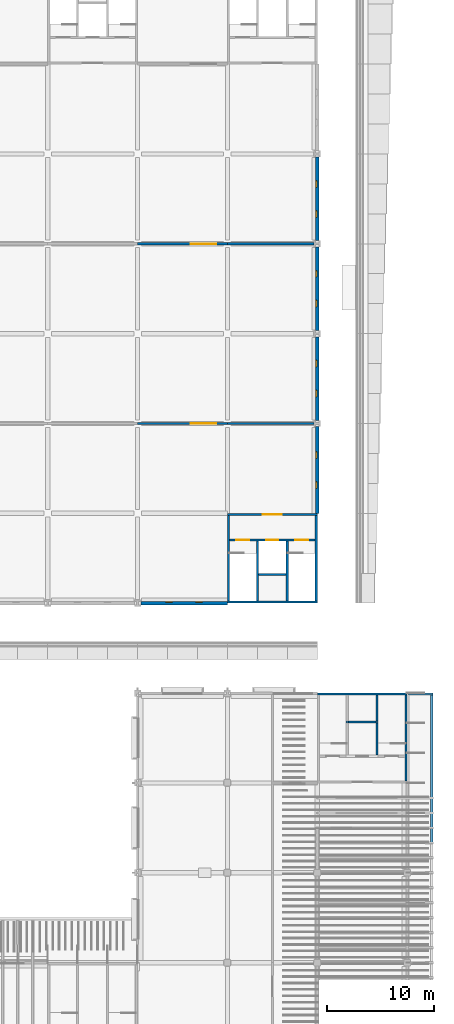
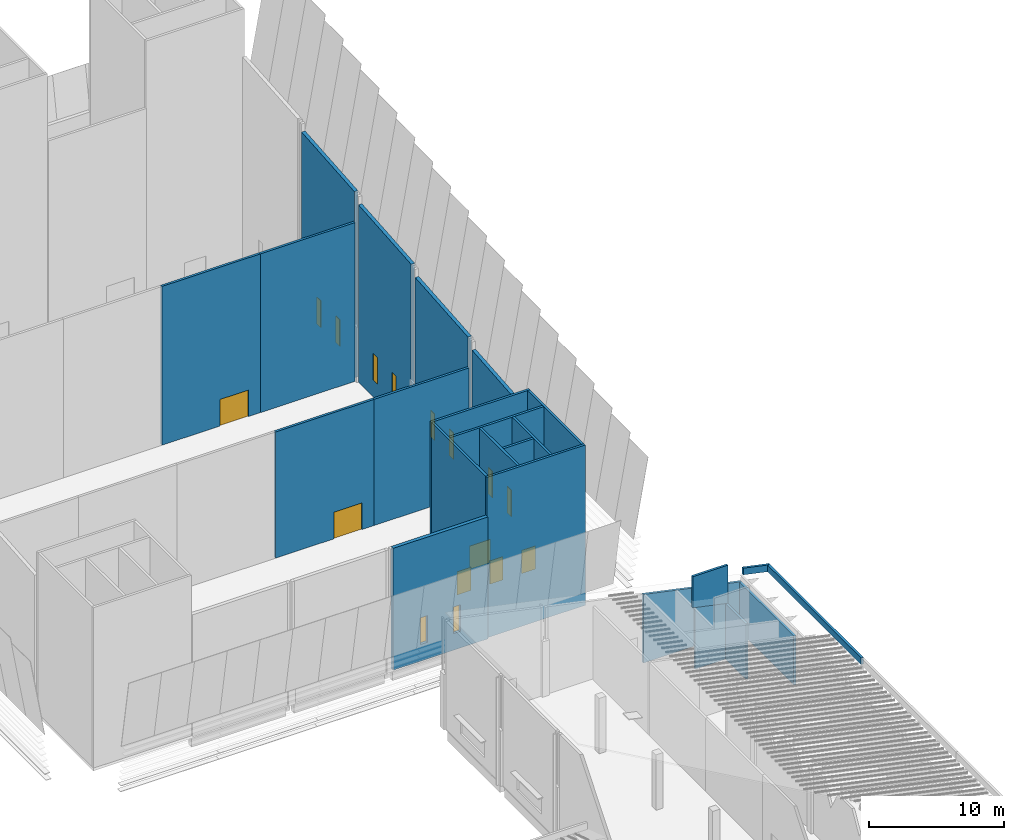
# One storey, part 26 of 59: 24 walls, 10 windows, 6 doors, 16 openings.
"""IFC4 building model written with IfcOpenShell, lengths in metres."""

from ifc_helpers import new_model, si_unit, direction, frame, frame_2d, origin, place, context, subcontext, project, spatial, polyline, rectangle, outline, extrude, material, layer, layer_set, type_object, element, fill, save


model = new_model("IFC4")

# Units and contexts
model_context = context("Model", 3, precision=1e-05, world=origin(), true_north=direction((0.0, 1.0)))
body_context = subcontext(model_context, "Body", "Model", "MODEL_VIEW")
ifc_project = project(units=[si_unit("LENGTHUNIT", "METRE"), si_unit("AREAUNIT", "SQUARE_METRE"), si_unit("VOLUMEUNIT", "CUBIC_METRE"), si_unit("PLANEANGLEUNIT", "RADIAN"), si_unit("MASSUNIT", "GRAM", prefix="KILO")], contexts=[model_context])

# Site, building, storey
site_placement = place(None, origin())
site = spatial("IfcSite", under=ifc_project, at=site_placement, CompositionType="ELEMENT")
building_placement = place(site_placement, origin())
building = spatial("IfcBuilding", under=site, at=building_placement, Name="Almond Square Museum", CompositionType="ELEMENT")
storey_placement = place(building_placement, frame((0.0, 0.0, 25.0)))
storey = spatial("IfcBuildingStorey", under=building, at=storey_placement, Name="L04", CompositionType="ELEMENT", Elevation=25.0)

# Wall, openings, windows
ifc_material_1 = material(Name="Concrete C30/37", Category="concrete")
ifc_layer_1 = layer(ifc_material_1, 0.300048828125)
ifc_layer_set_1 = layer_set([ifc_layer_1], Name="Concrete C30/37")
wall_type_1 = type_object("IfcWallType", Name="Cast concrete wall 300 C30/37 behind louvre skin", PredefinedType="SOLIDWALL", material=ifc_layer_set_1)
wall_1_placement = place(storey_placement, frame((132.300048828125, 50.39990234375, 0.0), z_axis=(0.0, 0.0, 1.0), x_axis=(1.0, 0.0, 0.0)))
wall_1 = element("IfcWall", 1, at=wall_1_placement, inside=storey, type_object=wall_type_1, Name="External wall W1 V1 L04 S03", PredefinedType="SOLIDWALL", context=body_context, shape_type="SweptSolid", body=[
    extrude(rectangle(XDim=8.099853515625, YDim=0.300048828125, at=frame_2d((4.0498046875, 0.0))), origin(), (0.0, 0.0, 1.0), 10.995849609375),
])
opening_1_placement = place(wall_1_placement, frame((2.35009765625, 0.0, 1.5)))
opening_1 = element("IfcOpeningElement", 2, at=opening_1_placement, cuts=wall_1, Name="Opening W4025", PredefinedType="OPENING", context=body_context, shape_type="SweptSolid", body=[
    extrude(rectangle(XDim=0.60009765625, YDim=2.39990234375, at=frame_2d((0.300048828125, 1.199951171875))), frame((0.0, 0.159912109375, 0.0), z_axis=(0.0, -1.0, 0.0), x_axis=(1.0, 0.0, 0.0)), (0.0, 0.0, 1.0), 0.320068359375),
])
opening_2_placement = place(wall_1_placement, frame((5.14990234375, 0.0, 1.5)))
opening_2 = element("IfcOpeningElement", 3, at=opening_2_placement, cuts=wall_1, Name="Opening W4026", PredefinedType="OPENING", context=body_context, shape_type="SweptSolid", body=[
    extrude(rectangle(XDim=0.60009765625, YDim=2.39990234375, at=frame_2d((0.300048828125, 1.199951171875))), frame((0.0, 0.159912109375, 0.0), z_axis=(0.0, -1.0, 0.0), x_axis=(1.0, 0.0, 0.0)), (0.0, 0.0, 1.0), 0.320068359375),
])
ifc_material_2 = material(Name="Anodised aluminium louvre and laminated glass", Category="aluminium")
window_type = type_object("IfcWindowType", Name="Slot window with storm louvre", PartitioningType="SINGLE_PANEL", PredefinedType="WINDOW", material=ifc_material_2)
window_1_placement = place(opening_1_placement, origin())
window_1 = element("IfcWindow", 4, at=window_1_placement, inside=storey, type_object=window_type, Name="Slot window with storm louvre W4025", OverallHeight=2.39990234375, OverallWidth=0.60009765625, PartitioningType="SINGLE_PANEL", PredefinedType="WINDOW", context=body_context, shape_type="SweptSolid", body=[
    extrude(rectangle(XDim=0.60009765625, YDim=2.39990234375, at=frame_2d((0.300048828125, 1.199951171875))), frame((0.0, 0.130126953125, 0.0), z_axis=(0.0, -1.0, 0.0), x_axis=(1.0, 0.0, 0.0)), (0.0, 0.0, 1.0), 0.06005859375),
])
fill(opening_1, window_1)
window_2_placement = place(opening_2_placement, origin())
window_2 = element("IfcWindow", 5, at=window_2_placement, inside=storey, type_object=window_type, Name="Slot window with storm louvre W4026", OverallHeight=2.39990234375, OverallWidth=0.60009765625, PartitioningType="SINGLE_PANEL", PredefinedType="WINDOW", context=body_context, shape_type="SweptSolid", body=[
    extrude(rectangle(XDim=0.60009765625, YDim=2.39990234375, at=frame_2d((0.300048828125, 1.199951171875))), frame((0.0, 0.130126953125, 0.0), z_axis=(0.0, -1.0, 0.0), x_axis=(1.0, 0.0, 0.0)), (0.0, 0.0, 1.0), 0.06005859375),
])
fill(opening_2, window_2)

wall_2_placement = place(storey_placement, frame((148.800048828125, 58.800048828125, 0.0), z_axis=(0.0, 0.0, 1.0), x_axis=(0.0, 1.0, 0.0)))
wall_2 = element("IfcWall", 6, at=wall_2_placement, inside=storey, type_object=wall_type_1, Name="External wall W1 V1 L04 E01", PredefinedType="SOLIDWALL", context=body_context, shape_type="SweptSolid", body=[
    extrude(outline(polyline([(0.0, 0.0), (8.099853515625, 0.0), (8.10009765625, 13.06005859375), (0.0, 12.36083984375), (0.0, 0.0)])), frame((0.0, 0.14990234375, 0.0), z_axis=(0.0, -1.0, 0.0), x_axis=(1.0, 0.0, 0.0)), (0.0, 0.0, 1.0), 0.300048828125),
])
opening_3_placement = place(wall_2_placement, frame((2.35009765625, 0.0, 1.5)))
opening_3 = element("IfcOpeningElement", 7, at=opening_3_placement, cuts=wall_2, Name="Opening W4027", PredefinedType="OPENING", context=body_context, shape_type="SweptSolid", body=[
    extrude(rectangle(XDim=0.60009765625, YDim=2.39990234375, at=frame_2d((0.300048828125, 1.199951171875))), frame((0.0, 0.159912109375, 0.0), z_axis=(0.0, -1.0, 0.0), x_axis=(1.0, 0.0, 0.0)), (0.0, 0.0, 1.0), 0.320068359375),
])
opening_4_placement = place(wall_2_placement, frame((5.14990234375, 0.0, 1.5)))
opening_4 = element("IfcOpeningElement", 8, at=opening_4_placement, cuts=wall_2, Name="Opening W4028", PredefinedType="OPENING", context=body_context, shape_type="SweptSolid", body=[
    extrude(rectangle(XDim=0.60009765625, YDim=2.39990234375, at=frame_2d((0.300048828125, 1.199951171875))), frame((0.0, 0.159912109375, 0.0), z_axis=(0.0, -1.0, 0.0), x_axis=(1.0, 0.0, 0.0)), (0.0, 0.0, 1.0), 0.320068359375),
])
window_3_placement = place(opening_3_placement, origin())
window_3 = element("IfcWindow", 9, at=window_3_placement, inside=storey, type_object=window_type, Name="Slot window with storm louvre W4027", OverallHeight=2.39990234375, OverallWidth=0.60009765625, PartitioningType="SINGLE_PANEL", PredefinedType="WINDOW", context=body_context, shape_type="SweptSolid", body=[
    extrude(rectangle(XDim=0.60009765625, YDim=2.39990234375, at=frame_2d((0.300048828125, 1.199951171875))), frame((0.0, 0.130126953125, 0.0), z_axis=(0.0, -1.0, 0.0), x_axis=(1.0, 0.0, 0.0)), (0.0, 0.0, 1.0), 0.06005859375),
])
fill(opening_3, window_3)
window_4_placement = place(opening_4_placement, origin())
window_4 = element("IfcWindow", 10, at=window_4_placement, inside=storey, type_object=window_type, Name="Slot window with storm louvre W4028", OverallHeight=2.39990234375, OverallWidth=0.60009765625, PartitioningType="SINGLE_PANEL", PredefinedType="WINDOW", context=body_context, shape_type="SweptSolid", body=[
    extrude(rectangle(XDim=0.60009765625, YDim=2.39990234375, at=frame_2d((0.300048828125, 1.199951171875))), frame((0.0, 0.130126953125, 0.0), z_axis=(0.0, -1.0, 0.0), x_axis=(1.0, 0.0, 0.0)), (0.0, 0.0, 1.0), 0.06005859375),
])
fill(opening_4, window_4)

wall_3_placement = place(storey_placement, frame((148.800048828125, 67.5, 0.0), z_axis=(0.0, 0.0, 1.0), x_axis=(0.0, 1.0, 0.0)))
wall_3 = element("IfcWall", 11, at=wall_3_placement, inside=storey, type_object=wall_type_1, Name="External wall W1 V1 L04 E02", PredefinedType="SOLIDWALL", context=body_context, shape_type="SweptSolid", body=[
    extrude(outline(polyline([(0.0, 0.0), (7.800048828125, 0.0), (7.800048828125, 14.530029296875), (0.0, 13.88330078125), (0.0, 0.0)])), frame((0.0, 0.14990234375, 0.0), z_axis=(0.0, -1.0, 0.0), x_axis=(1.0, 0.0, 0.0)), (0.0, 0.0, 1.0), 0.300048828125),
])
opening_5_placement = place(wall_3_placement, frame((2.199951171875, 0.0, 1.5)))
opening_5 = element("IfcOpeningElement", 12, at=opening_5_placement, cuts=wall_3, Name="Opening W4029", PredefinedType="OPENING", context=body_context, shape_type="SweptSolid", body=[
    extrude(rectangle(XDim=0.60009765625, YDim=2.39990234375, at=frame_2d((0.300048828125, 1.199951171875))), frame((0.0, 0.159912109375, 0.0), z_axis=(0.0, -1.0, 0.0), x_axis=(1.0, 0.0, 0.0)), (0.0, 0.0, 1.0), 0.320068359375),
])
opening_6_placement = place(wall_3_placement, frame((5.0, 0.0, 1.5)))
opening_6 = element("IfcOpeningElement", 13, at=opening_6_placement, cuts=wall_3, Name="Opening W4030", PredefinedType="OPENING", context=body_context, shape_type="SweptSolid", body=[
    extrude(rectangle(XDim=0.60009765625, YDim=2.39990234375, at=frame_2d((0.300048828125, 1.199951171875))), frame((0.0, 0.159912109375, 0.0), z_axis=(0.0, -1.0, 0.0), x_axis=(1.0, 0.0, 0.0)), (0.0, 0.0, 1.0), 0.320068359375),
])
window_5_placement = place(opening_5_placement, origin())
window_5 = element("IfcWindow", 14, at=window_5_placement, inside=storey, type_object=window_type, Name="Slot window with storm louvre W4029", OverallHeight=2.39990234375, OverallWidth=0.60009765625, PartitioningType="SINGLE_PANEL", PredefinedType="WINDOW", context=body_context, shape_type="SweptSolid", body=[
    extrude(rectangle(XDim=0.60009765625, YDim=2.39990234375, at=frame_2d((0.300048828125, 1.199951171875))), frame((0.0, 0.130126953125, 0.0), z_axis=(0.0, -1.0, 0.0), x_axis=(1.0, 0.0, 0.0)), (0.0, 0.0, 1.0), 0.06005859375),
])
fill(opening_5, window_5)
window_6_placement = place(opening_6_placement, origin())
window_6 = element("IfcWindow", 15, at=window_6_placement, inside=storey, type_object=window_type, Name="Slot window with storm louvre W4030", OverallHeight=2.39990234375, OverallWidth=0.60009765625, PartitioningType="SINGLE_PANEL", PredefinedType="WINDOW", context=body_context, shape_type="SweptSolid", body=[
    extrude(rectangle(XDim=0.60009765625, YDim=2.39990234375, at=frame_2d((0.300048828125, 1.199951171875))), frame((0.0, 0.130126953125, 0.0), z_axis=(0.0, -1.0, 0.0), x_axis=(1.0, 0.0, 0.0)), (0.0, 0.0, 1.0), 0.06005859375),
])
fill(opening_6, window_6)

wall_4_placement = place(storey_placement, frame((148.800048828125, 75.89990234375, 0.0), z_axis=(0.0, 0.0, 1.0), x_axis=(0.0, 1.0, 0.0)))
wall_4 = element("IfcWall", 16, at=wall_4_placement, inside=storey, type_object=wall_type_1, Name="External wall W1 V1 L04 E03", PredefinedType="SOLIDWALL", context=body_context, shape_type="SweptSolid", body=[
    extrude(outline(polyline([(0.0, 0.0), (7.800048828125, 0.0), (7.800048828125, 16.0), (0.0, 15.353515625), (0.0, 0.0)])), frame((0.0, 0.14990234375, 0.0), z_axis=(0.0, -1.0, 0.0), x_axis=(1.0, 0.0, 0.0)), (0.0, 0.0, 1.0), 0.300048828125),
])
opening_7_placement = place(wall_4_placement, frame((2.199951171875, 0.0, 1.5)))
opening_7 = element("IfcOpeningElement", 17, at=opening_7_placement, cuts=wall_4, Name="Opening W4031", PredefinedType="OPENING", context=body_context, shape_type="SweptSolid", body=[
    extrude(rectangle(XDim=0.60009765625, YDim=2.39990234375, at=frame_2d((0.300048828125, 1.199951171875))), frame((0.0, 0.159912109375, 0.0), z_axis=(0.0, -1.0, 0.0), x_axis=(1.0, 0.0, 0.0)), (0.0, 0.0, 1.0), 0.320068359375),
])
opening_8_placement = place(wall_4_placement, frame((5.0, 0.0, 1.5)))
opening_8 = element("IfcOpeningElement", 18, at=opening_8_placement, cuts=wall_4, Name="Opening W4032", PredefinedType="OPENING", context=body_context, shape_type="SweptSolid", body=[
    extrude(rectangle(XDim=0.60009765625, YDim=2.39990234375, at=frame_2d((0.300048828125, 1.199951171875))), frame((0.0, 0.159912109375, 0.0), z_axis=(0.0, -1.0, 0.0), x_axis=(1.0, 0.0, 0.0)), (0.0, 0.0, 1.0), 0.320068359375),
])
window_7_placement = place(opening_7_placement, origin())
window_7 = element("IfcWindow", 19, at=window_7_placement, inside=storey, type_object=window_type, Name="Slot window with storm louvre W4031", OverallHeight=2.39990234375, OverallWidth=0.60009765625, PartitioningType="SINGLE_PANEL", PredefinedType="WINDOW", context=body_context, shape_type="SweptSolid", body=[
    extrude(rectangle(XDim=0.60009765625, YDim=2.39990234375, at=frame_2d((0.300048828125, 1.199951171875))), frame((0.0, 0.130126953125, 0.0), z_axis=(0.0, -1.0, 0.0), x_axis=(1.0, 0.0, 0.0)), (0.0, 0.0, 1.0), 0.06005859375),
])
fill(opening_7, window_7)
window_8_placement = place(opening_8_placement, origin())
window_8 = element("IfcWindow", 20, at=window_8_placement, inside=storey, type_object=window_type, Name="Slot window with storm louvre W4032", OverallHeight=2.39990234375, OverallWidth=0.60009765625, PartitioningType="SINGLE_PANEL", PredefinedType="WINDOW", context=body_context, shape_type="SweptSolid", body=[
    extrude(rectangle(XDim=0.60009765625, YDim=2.39990234375, at=frame_2d((0.300048828125, 1.199951171875))), frame((0.0, 0.130126953125, 0.0), z_axis=(0.0, -1.0, 0.0), x_axis=(1.0, 0.0, 0.0)), (0.0, 0.0, 1.0), 0.06005859375),
])
fill(opening_8, window_8)

wall_5_placement = place(storey_placement, frame((148.800048828125, 84.300048828125, 0.0), z_axis=(0.0, 0.0, 1.0), x_axis=(0.0, 1.0, 0.0)))
wall_5 = element("IfcWall", 21, at=wall_5_placement, inside=storey, type_object=wall_type_1, Name="External wall W1 V1 L04 E04", PredefinedType="SOLIDWALL", context=body_context, shape_type="SweptSolid", body=[
    extrude(outline(polyline([(0.0, 0.0), (7.800048828125, 0.0), (7.800048828125, 17.469970703125), (0.0, 16.823486328125), (0.0, 0.0)])), frame((0.0, 0.14990234375, 0.0), z_axis=(0.0, -1.0, 0.0), x_axis=(1.0, 0.0, 0.0)), (0.0, 0.0, 1.0), 0.300048828125),
])
opening_9_placement = place(wall_5_placement, frame((2.199951171875, 0.0, 1.5)))
opening_9 = element("IfcOpeningElement", 22, at=opening_9_placement, cuts=wall_5, Name="Opening W4033", PredefinedType="OPENING", context=body_context, shape_type="SweptSolid", body=[
    extrude(rectangle(XDim=0.60009765625, YDim=2.39990234375, at=frame_2d((0.300048828125, 1.199951171875))), frame((0.0, 0.159912109375, 0.0), z_axis=(0.0, -1.0, 0.0), x_axis=(1.0, 0.0, 0.0)), (0.0, 0.0, 1.0), 0.320068359375),
])
opening_10_placement = place(wall_5_placement, frame((5.0, 0.0, 1.5)))
opening_10 = element("IfcOpeningElement", 23, at=opening_10_placement, cuts=wall_5, Name="Opening W4034", PredefinedType="OPENING", context=body_context, shape_type="SweptSolid", body=[
    extrude(rectangle(XDim=0.60009765625, YDim=2.39990234375, at=frame_2d((0.300048828125, 1.199951171875))), frame((0.0, 0.159912109375, 0.0), z_axis=(0.0, -1.0, 0.0), x_axis=(1.0, 0.0, 0.0)), (0.0, 0.0, 1.0), 0.320068359375),
])
window_9_placement = place(opening_9_placement, origin())
window_9 = element("IfcWindow", 24, at=window_9_placement, inside=storey, type_object=window_type, Name="Slot window with storm louvre W4033", OverallHeight=2.39990234375, OverallWidth=0.60009765625, PartitioningType="SINGLE_PANEL", PredefinedType="WINDOW", context=body_context, shape_type="SweptSolid", body=[
    extrude(rectangle(XDim=0.60009765625, YDim=2.39990234375, at=frame_2d((0.300048828125, 1.199951171875))), frame((0.0, 0.130126953125, 0.0), z_axis=(0.0, -1.0, 0.0), x_axis=(1.0, 0.0, 0.0)), (0.0, 0.0, 1.0), 0.06005859375),
])
fill(opening_9, window_9)
window_10_placement = place(opening_10_placement, origin())
window_10 = element("IfcWindow", 25, at=window_10_placement, inside=storey, type_object=window_type, Name="Slot window with storm louvre W4034", OverallHeight=2.39990234375, OverallWidth=0.60009765625, PartitioningType="SINGLE_PANEL", PredefinedType="WINDOW", context=body_context, shape_type="SweptSolid", body=[
    extrude(rectangle(XDim=0.60009765625, YDim=2.39990234375, at=frame_2d((0.300048828125, 1.199951171875))), frame((0.0, 0.130126953125, 0.0), z_axis=(0.0, -1.0, 0.0), x_axis=(1.0, 0.0, 0.0)), (0.0, 0.0, 1.0), 0.06005859375),
])
fill(opening_10, window_10)

# Wall, opening, door
ifc_material_3 = material(Name="Painted gypsum board on steel stud", Category="steel")
ifc_layer_2 = layer(ifc_material_3, 0.199951171875)
ifc_layer_set_2 = layer_set([ifc_layer_2], Name="Painted gypsum board on steel stud")
wall_type_2 = type_object("IfcWallType", Name="Gallery wall 200 painted board on stud", PredefinedType="PARTITIONING", material=ifc_layer_set_2)
wall_6_placement = place(storey_placement, frame((132.0, 84.0, 0.0), z_axis=(0.0, 0.0, 1.0), x_axis=(1.0, 0.0, 0.0)))
wall_6 = element("IfcWall", 26, at=wall_6_placement, inside=storey, type_object=wall_type_2, Name="L04 partition 16", PredefinedType="PARTITIONING", context=body_context, shape_type="SweptSolid", body=[
    extrude(rectangle(XDim=8.39990234375, YDim=0.199951171875, at=frame_2d((4.199951171875, 0.0))), origin(), (0.0, 0.0, 1.0), 14.330078125),
])
opening_11_placement = place(wall_6_placement, frame((4.97509765625, 0.0, 0.0)))
opening_11 = element("IfcOpeningElement", 27, at=opening_11_placement, cuts=wall_6, Name="Opening D4125", PredefinedType="OPENING", context=body_context, shape_type="SweptSolid", body=[
    extrude(rectangle(XDim=2.39990234375, YDim=2.39990234375, at=frame_2d((1.199951171875, 1.199951171875))), frame((0.0, 0.10986328125, 0.0), z_axis=(0.0, -1.0, 0.0), x_axis=(1.0, 0.0, 0.0)), (0.0, 0.0, 1.0), 0.219970703125),
])
ifc_material_4 = material(Name="Timber", Category="wood")
door_type_1 = type_object("IfcDoorType", Name="Gallery door 2400 x 2400 timber double", OperationType="NOTDEFINED", PredefinedType="DOOR", material=ifc_material_4)
door_1_placement = place(opening_11_placement, origin())
door_1 = element("IfcDoor", 28, at=door_1_placement, inside=storey, type_object=door_type_1, Name="L04 door Hall Gallery 3 to Hall Gallery 4", OperationType="DOUBLE_DOOR_SINGLE_SWING", OverallHeight=2.39990234375, OverallWidth=2.39990234375, PredefinedType="DOOR", context=body_context, shape_type="SweptSolid", body=[
    extrude(rectangle(XDim=2.39990234375, YDim=2.39990234375, at=frame_2d((1.199951171875, 1.199951171875))), frame((0.0, 0.02490234375, 0.0), z_axis=(0.0, -1.0, 0.0), x_axis=(1.0, 0.0, 0.0)), (0.0, 0.0, 1.0), 0.050048828125),
])
fill(opening_11, door_1)

# Wall
wall_7_placement = place(storey_placement, frame((140.39990234375, 84.0, 0.0), z_axis=(0.0, 0.0, 1.0), x_axis=(1.0, 0.0, 0.0)))
element("IfcWall", 29, at=wall_7_placement, inside=storey, type_object=wall_type_2, Name="L04 partition 17", PredefinedType="PARTITIONING", context=body_context, shape_type="SweptSolid", body=[
    extrude(rectangle(XDim=8.10009765625, YDim=0.199951171875, at=frame_2d((4.050048828125, 0.0))), origin(), (0.0, 0.0, 1.0), 14.330078125),
])

# Wall, opening, door
wall_8_placement = place(storey_placement, frame((132.0, 67.199951171875, 0.0), z_axis=(0.0, 0.0, 1.0), x_axis=(1.0, 0.0, 0.0)))
wall_8 = element("IfcWall", 30, at=wall_8_placement, inside=storey, type_object=wall_type_2, Name="L04 partition 22", PredefinedType="PARTITIONING", context=body_context, shape_type="SweptSolid", body=[
    extrude(rectangle(XDim=8.39990234375, YDim=0.199951171875, at=frame_2d((4.199951171875, 0.0))), origin(), (0.0, 0.0, 1.0), 11.389892578125),
])
opening_12_placement = place(wall_8_placement, frame((4.97509765625, 0.0, 0.0)))
opening_12 = element("IfcOpeningElement", 31, at=opening_12_placement, cuts=wall_8, Name="Opening D4128", PredefinedType="OPENING", context=body_context, shape_type="SweptSolid", body=[
    extrude(rectangle(XDim=2.39990234375, YDim=2.39990234375, at=frame_2d((1.199951171875, 1.199951171875))), frame((0.0, 0.10986328125, 0.0), z_axis=(0.0, -1.0, 0.0), x_axis=(1.0, 0.0, 0.0)), (0.0, 0.0, 1.0), 0.219970703125),
])
door_2_placement = place(opening_12_placement, origin())
door_2 = element("IfcDoor", 32, at=door_2_placement, inside=storey, type_object=door_type_1, Name="L04 door Hall Gallery 4 to Hall Gallery 5", OperationType="DOUBLE_DOOR_SINGLE_SWING", OverallHeight=2.39990234375, OverallWidth=2.39990234375, PredefinedType="DOOR", context=body_context, shape_type="SweptSolid", body=[
    extrude(rectangle(XDim=2.39990234375, YDim=2.39990234375, at=frame_2d((1.199951171875, 1.199951171875))), frame((0.0, 0.02490234375, 0.0), z_axis=(0.0, -1.0, 0.0), x_axis=(1.0, 0.0, 0.0)), (0.0, 0.0, 1.0), 0.050048828125),
])
fill(opening_12, door_2)

# Walls
wall_9_placement = place(storey_placement, frame((140.39990234375, 67.199951171875, 0.0), z_axis=(0.0, 0.0, 1.0), x_axis=(1.0, 0.0, 0.0)))
element("IfcWall", 33, at=wall_9_placement, inside=storey, type_object=wall_type_2, Name="L04 partition 23", PredefinedType="PARTITIONING", context=body_context, shape_type="SweptSolid", body=[
    extrude(rectangle(XDim=8.10009765625, YDim=0.199951171875, at=frame_2d((4.050048828125, 0.0))), origin(), (0.0, 0.0, 1.0), 11.389892578125),
])
ifc_material_5 = material(Name="Concrete C40/50", Category="concrete")
ifc_layer_3 = layer(ifc_material_5, 0.199951171875)
ifc_layer_set_3 = layer_set([ifc_layer_3], Name="Concrete C40/50")
wall_type_3 = type_object("IfcWallType", Name="RC lift machine room wall 200 C40/50", PredefinedType="SOLIDWALL", material=ifc_layer_set_3)
wall_10_placement = place(storey_placement, frame((151.5, 39.300048828125, 4.97509765625), z_axis=(0.0, 0.0, 1.0), x_axis=(1.0, 0.0, 0.0)))
element("IfcWall", 34, at=wall_10_placement, inside=storey, type_object=wall_type_3, Name="Lift machine room X1 north wall", PredefinedType="SOLIDWALL", context=body_context, shape_type="SweptSolid", body=[
    extrude(outline(polyline([(0.0, 0.636474609375), (3.0, -0.001220703125), (3.0, 3.4375), (0.0, 3.4375), (0.0, 0.636474609375)])), frame((0.0, 0.10009765625, 0.0), z_axis=(0.0, -1.0, 0.0), x_axis=(1.0, 0.0, 0.0)), (0.0, 0.0, 1.0), 0.199951171875),
])
ifc_material_6 = material(Name="Concrete C40/50", Category="concrete")
ifc_layer_4 = layer(ifc_material_6, 0.199951171875)
ifc_layer_set_4 = layer_set([ifc_layer_4], Name="Concrete C40/50")
wall_type_4 = type_object("IfcWallType", Name="RC shear wall 200 C40/50", PredefinedType="SHEAR", material=ifc_layer_set_4)
wall_11_placement = place(storey_placement, frame((140.39990234375, 50.5, 0.0), z_axis=(0.0, 0.0, 1.0), x_axis=(1.0, 0.0, 0.0)))
element("IfcWall", 35, at=wall_11_placement, inside=storey, type_object=wall_type_4, Name="Core H2 south wall L04", PredefinedType="SHEAR", context=body_context, shape_type="SweptSolid", body=[
    extrude(rectangle(XDim=8.400146484375, YDim=0.199951171875, at=frame_2d((4.2001953125, 0.0))), origin(), (0.0, 0.0, 1.0), 14.469970703125),
])

# Wall, opening, door
wall_12_placement = place(storey_placement, frame((140.39990234375, 58.699951171875, 0.0), z_axis=(0.0, 0.0, 1.0), x_axis=(1.0, 0.0, 0.0)))
wall_12 = element("IfcWall", 36, at=wall_12_placement, inside=storey, type_object=wall_type_4, Name="Core H2 north wall L04", PredefinedType="SHEAR", context=body_context, shape_type="SweptSolid", body=[
    extrude(rectangle(XDim=8.400146484375, YDim=0.199951171875, at=frame_2d((4.2001953125, 0.0))), origin(), (0.0, 0.0, 1.0), 14.469970703125),
])
opening_13_placement = place(wall_12_placement, frame((3.300048828125, 0.0, 0.0)))
opening_13 = element("IfcOpeningElement", 37, at=opening_13_placement, cuts=wall_12, Name="Opening D4133", PredefinedType="OPENING", context=body_context, shape_type="SweptSolid", body=[
    extrude(rectangle(XDim=1.800048828125, YDim=2.10009765625, at=frame_2d((0.89990234375, 1.050048828125))), frame((0.0, 0.10986328125, 0.0), z_axis=(0.0, -1.0, 0.0), x_axis=(1.0, 0.0, 0.0)), (0.0, 0.0, 1.0), 0.219970703125),
])
ifc_material_7 = material(Name="Steel", Category="steel")
door_type_2 = type_object("IfcDoorType", Name="Fire door 1800 x 2100 FD60 double", OperationType="NOTDEFINED", PredefinedType="DOOR", material=ifc_material_7)
door_3_placement = place(opening_13_placement, origin())
door_3 = element("IfcDoor", 38, at=door_3_placement, inside=storey, type_object=door_type_2, Name="L04 stair core H2 lobby door", OperationType="DOUBLE_DOOR_SINGLE_SWING", OverallHeight=2.10009765625, OverallWidth=1.800048828125, PredefinedType="DOOR", context=body_context, shape_type="SweptSolid", body=[
    extrude(rectangle(XDim=1.800048828125, YDim=2.10009765625, at=frame_2d((0.89990234375, 1.050048828125))), frame((0.0, 0.02490234375, 0.0), z_axis=(0.0, -1.0, 0.0), x_axis=(1.0, 0.0, 0.0)), (0.0, 0.0, 1.0), 0.050048828125),
])
fill(opening_13, door_3)

# Walls
for number, where, z_axis, x_axis, name in (
    (39, (140.5, 50.60009765625, 0.0), (0.0, 0.0, 1.0), (0.0, 1.0, 0.0), "Core H2 west wall L04"),
    (40, (148.699951171875, 50.60009765625, 0.0), (0.0, 0.0, 1.0), (0.0, 1.0, 0.0), "Core H2 east wall L04"),
):
    element("IfcWall", number, at=place(storey_placement, frame(where, z_axis=z_axis, x_axis=x_axis)), inside=storey, type_object=wall_type_4, Name=name, PredefinedType="SHEAR", context=body_context, shape_type="SweptSolid", body=[
        extrude(rectangle(XDim=8.0, YDim=0.199951171875, at=frame_2d((4.0, 0.0))), origin(), (0.0, 0.0, 1.0), 14.469970703125),
    ])

# Wall, openings, doors
wall_13_placement = place(storey_placement, frame((140.60009765625, 56.300048828125, 0.0), z_axis=(0.0, 0.0, 1.0), x_axis=(1.0, 0.0, 0.0)))
wall_13 = element("IfcWall", 41, at=wall_13_placement, inside=storey, type_object=wall_type_4, Name="Core H2 lobby wall L04", PredefinedType="SHEAR", context=body_context, shape_type="SweptSolid", body=[
    extrude(rectangle(XDim=8.0, YDim=0.199951171875, at=frame_2d((4.0, 0.0))), origin(), (0.0, 0.0, 1.0), 14.469970703125),
])
opening_14_placement = place(wall_13_placement, frame((0.64990234375, 0.0, 0.0)))
opening_14 = element("IfcOpeningElement", 42, at=opening_14_placement, cuts=wall_13, Name="Opening D4134", PredefinedType="OPENING", context=body_context, shape_type="SweptSolid", body=[
    extrude(rectangle(XDim=1.199951171875, YDim=2.10009765625, at=frame_2d((0.60009765625, 1.050048828125))), frame((0.0, 0.10986328125, 0.0), z_axis=(0.0, -1.0, 0.0), x_axis=(1.0, 0.0, 0.0)), (0.0, 0.0, 1.0), 0.219970703125),
])
opening_15_placement = place(wall_13_placement, frame((6.14990234375, 0.0, 0.0)))
opening_15 = element("IfcOpeningElement", 43, at=opening_15_placement, cuts=wall_13, Name="Opening D4135", PredefinedType="OPENING", context=body_context, shape_type="SweptSolid", body=[
    extrude(rectangle(XDim=1.199951171875, YDim=2.10009765625, at=frame_2d((0.60009765625, 1.050048828125))), frame((0.0, 0.10986328125, 0.0), z_axis=(0.0, -1.0, 0.0), x_axis=(1.0, 0.0, 0.0)), (0.0, 0.0, 1.0), 0.219970703125),
])
opening_16_placement = place(wall_13_placement, frame((3.449951171875, 0.0, 0.0)))
opening_16 = element("IfcOpeningElement", 44, at=opening_16_placement, cuts=wall_13, Name="Opening D4136", PredefinedType="OPENING", context=body_context, shape_type="SweptSolid", body=[
    extrude(rectangle(XDim=1.10009765625, YDim=2.10009765625, at=frame_2d((0.550048828125, 1.050048828125))), frame((0.0, 0.10986328125, 0.0), z_axis=(0.0, -1.0, 0.0), x_axis=(1.0, 0.0, 0.0)), (0.0, 0.0, 1.0), 0.219970703125),
])
ifc_material_8 = material(Name="Steel", Category="steel")
door_type_3 = type_object("IfcDoorType", Name="Fire door 1200 x 2100 FD120 stair", OperationType="NOTDEFINED", PredefinedType="DOOR", material=ifc_material_8)
door_4_placement = place(opening_14_placement, origin())
door_4 = element("IfcDoor", 45, at=door_4_placement, inside=storey, type_object=door_type_3, Name="L04 stair H2-1 door", OperationType="SINGLE_SWING_LEFT", OverallHeight=2.10009765625, OverallWidth=1.199951171875, PredefinedType="DOOR", context=body_context, shape_type="SweptSolid", body=[
    extrude(rectangle(XDim=1.199951171875, YDim=2.10009765625, at=frame_2d((0.60009765625, 1.050048828125))), frame((0.0, 0.02490234375, 0.0), z_axis=(0.0, -1.0, 0.0), x_axis=(1.0, 0.0, 0.0)), (0.0, 0.0, 1.0), 0.050048828125),
])
fill(opening_14, door_4)
door_5_placement = place(opening_15_placement, origin())
door_5 = element("IfcDoor", 46, at=door_5_placement, inside=storey, type_object=door_type_3, Name="L04 stair H2-2 door", OperationType="SINGLE_SWING_RIGHT", OverallHeight=2.10009765625, OverallWidth=1.199951171875, PredefinedType="DOOR", context=body_context, shape_type="SweptSolid", body=[
    extrude(rectangle(XDim=1.199951171875, YDim=2.10009765625, at=frame_2d((0.60009765625, 1.050048828125))), frame((0.0, 0.02490234375, 0.0), z_axis=(0.0, -1.0, 0.0), x_axis=(1.0, 0.0, 0.0)), (0.0, 0.0, 1.0), 0.050048828125),
])
fill(opening_15, door_5)
ifc_material_9 = material(Name="Stainless steel", Category="steel")
door_type_4 = type_object("IfcDoorType", Name="Lift landing door 1100 x 2100", OperationType="NOTDEFINED", PredefinedType="DOOR", material=ifc_material_9)
door_6_placement = place(opening_16_placement, origin())
door_6 = element("IfcDoor", 47, at=door_6_placement, inside=storey, type_object=door_type_4, Name="L04 lift PL-H2 landing door", OperationType="DOUBLE_DOOR_SLIDING", OverallHeight=2.10009765625, OverallWidth=1.10009765625, PredefinedType="DOOR", context=body_context, shape_type="SweptSolid", body=[
    extrude(rectangle(XDim=1.10009765625, YDim=2.10009765625, at=frame_2d((0.550048828125, 1.050048828125))), frame((0.0, 0.02490234375, 0.0), z_axis=(0.0, -1.0, 0.0), x_axis=(1.0, 0.0, 0.0)), (0.0, 0.0, 1.0), 0.050048828125),
])
fill(opening_16, door_6)

# Walls
for number, where, z_axis, x_axis, name in (
    (48, (143.199951171875, 50.60009765625, 0.0), (0.0, 0.0, 1.0), (0.0, 1.0, 0.0), "Core H2 partition wall L04"),
    (49, (146.0, 50.60009765625, 0.0), (0.0, 0.0, 1.0), (0.0, 1.0, 0.0), "Core H2 partition wall L04"),
):
    element("IfcWall", number, at=place(storey_placement, frame(where, z_axis=z_axis, x_axis=x_axis)), inside=storey, type_object=wall_type_4, Name=name, PredefinedType="SHEAR", context=body_context, shape_type="SweptSolid", body=[
        extrude(rectangle(XDim=5.599853515625, YDim=0.199951171875, at=frame_2d((2.7998046875, 0.0))), origin(), (0.0, 0.0, 1.0), 14.469970703125),
    ])
wall_14_placement = place(storey_placement, frame((143.300048828125, 53.10009765625, 0.0), z_axis=(0.0, 0.0, 1.0), x_axis=(1.0, 0.0, 0.0)))
element("IfcWall", 50, at=wall_14_placement, inside=storey, type_object=wall_type_4, Name="Core H2 partition wall L04", PredefinedType="SHEAR", context=body_context, shape_type="SweptSolid", body=[
    extrude(rectangle(XDim=2.599853515625, YDim=0.199951171875, at=frame_2d((1.2998046875, 0.0))), origin(), (0.0, 0.0, 1.0), 14.469970703125),
])
wall_15_placement = place(storey_placement, frame((148.800048828125, 41.89990234375, 0.0), z_axis=(0.0, 0.0, 1.0), x_axis=(1.0, 0.0, 0.0)))
element("IfcWall", 51, at=wall_15_placement, inside=storey, type_object=wall_type_4, Name="Core X1 north wall L04", PredefinedType="SHEAR", context=body_context, shape_type="SweptSolid", body=[
    extrude(outline(polyline([(0.0, 0.0), (8.39990234375, 0.0), (8.39990234375, 4.39990234375), (7.800048828125, 4.528076171875), (7.5, 4.591064453125), (6.60009765625, 4.782958984375), (6.300048828125, 4.845947265625), (5.39990234375, 5.0380859375), (5.10009765625, 5.10107421875), (3.89990234375, 5.35693359375), (3.60009765625, 5.419921875), (2.699951171875, 5.612060546875), (2.39990234375, 5.675048828125), (1.5, 5.866943359375), (1.199951171875, 5.929931640625), (0.300048828125, 6.1220703125), (0.0, 6.18505859375), (0.0, 0.0)])), frame((0.0, 0.10009765625, 0.0), z_axis=(0.0, -1.0, 0.0), x_axis=(1.0, 0.0, 0.0)), (0.0, 0.0, 1.0), 0.199951171875),
])
wall_16_placement = place(storey_placement, frame((157.10009765625, 33.800048828125, 0.0), z_axis=(0.0, 0.0, 1.0), x_axis=(0.0, 1.0, 0.0)))
element("IfcWall", 52, at=wall_16_placement, inside=storey, type_object=wall_type_4, Name="Core X1 east wall L04", PredefinedType="SHEAR", context=body_context, shape_type="SweptSolid", body=[
    extrude(rectangle(XDim=8.0, YDim=0.199951171875, at=frame_2d((4.0, 0.0))), origin(), (0.0, 0.0, 1.0), 4.419921875),
])
wall_17_placement = place(storey_placement, frame((154.39990234375, 36.199951171875, 0.0), z_axis=(0.0, 0.0, 1.0), x_axis=(0.0, 1.0, 0.0)))
element("IfcWall", 53, at=wall_17_placement, inside=storey, type_object=wall_type_4, Name="Core X1 partition wall L04", PredefinedType="SHEAR", context=body_context, shape_type="SweptSolid", body=[
    extrude(rectangle(XDim=5.60009765625, YDim=0.199951171875, at=frame_2d((2.800048828125, 0.0))), origin(), (0.0, 0.0, 1.0), 4.9951171875),
])
wall_18_placement = place(storey_placement, frame((151.699951171875, 39.300048828125, 0.0), z_axis=(0.0, 0.0, 1.0), x_axis=(1.0, 0.0, 0.0)))
element("IfcWall", 54, at=wall_18_placement, inside=storey, type_object=wall_type_4, Name="Core X1 partition wall L04", PredefinedType="SHEAR", context=body_context, shape_type="SweptSolid", body=[
    extrude(outline(polyline([(0.0, 0.0), (2.60009765625, 0.0), (2.60009765625, 5.01611328125), (2.31103515625, 5.077880859375), (2.022216796875, 5.138916015625), (1.7333984375, 5.200927734375), (1.155517578125, 5.322998046875), (0.86669921875, 5.385009765625), (0.577880859375, 5.446044921875), (0.288818359375, 5.508056640625), (0.0, 5.569091796875), (0.0, 0.0)])), frame((0.0, 0.10009765625, 0.0), z_axis=(0.0, -1.0, 0.0), x_axis=(1.0, 0.0, 0.0)), (0.0, 0.0, 1.0), 0.199951171875),
])
ifc_material_10 = material(Name="Concrete C30/37", Category="concrete")
ifc_layer_5 = layer(ifc_material_10, 0.199951171875)
ifc_layer_set_5 = layer_set([ifc_layer_5], Name="Concrete C30/37")
wall_type_5 = type_object("IfcWallType", Name="Roof parapet 200", PredefinedType="PARAPET", material=ifc_layer_set_5)
wall_19_placement = place(storey_placement, frame((157.322998046875, 41.89990234375, 4.4853515625), z_axis=(0.0, 0.0, 1.0), x_axis=(1.0, 0.0, 0.0)))
element("IfcWall", 55, at=wall_19_placement, inside=storey, type_object=wall_type_5, Name="Roof parapet 14", PredefinedType="PARAPET", context=body_context, shape_type="SweptSolid", body=[
    extrude(outline(polyline([(0.0, 0.483154296875), (2.277099609375, 0.0), (2.277099609375, 0.60498046875), (0.0, 1.088134765625), (0.0, 0.483154296875)])), frame((0.0, 0.10009765625, 0.0), z_axis=(0.0, -1.0, 0.0), x_axis=(1.0, 0.0, 0.0)), (0.0, 0.0, 1.0), 0.199951171875),
])
wall_20_placement = place(storey_placement, frame((159.5, 28.0, 4.506103515625), z_axis=(0.0, 0.0, 1.0), x_axis=(0.0, 1.0, 0.0)))
element("IfcWall", 56, at=wall_20_placement, inside=storey, type_object=wall_type_5, Name="Roof parapet 15", PredefinedType="PARAPET", context=body_context, shape_type="SweptSolid", body=[
    extrude(rectangle(XDim=14.0, YDim=0.199951171875, at=frame_2d((7.0, 0.0))), origin(), (0.0, 0.0, 1.0), 0.60498046875),
])

save(model, "model.ifc")
